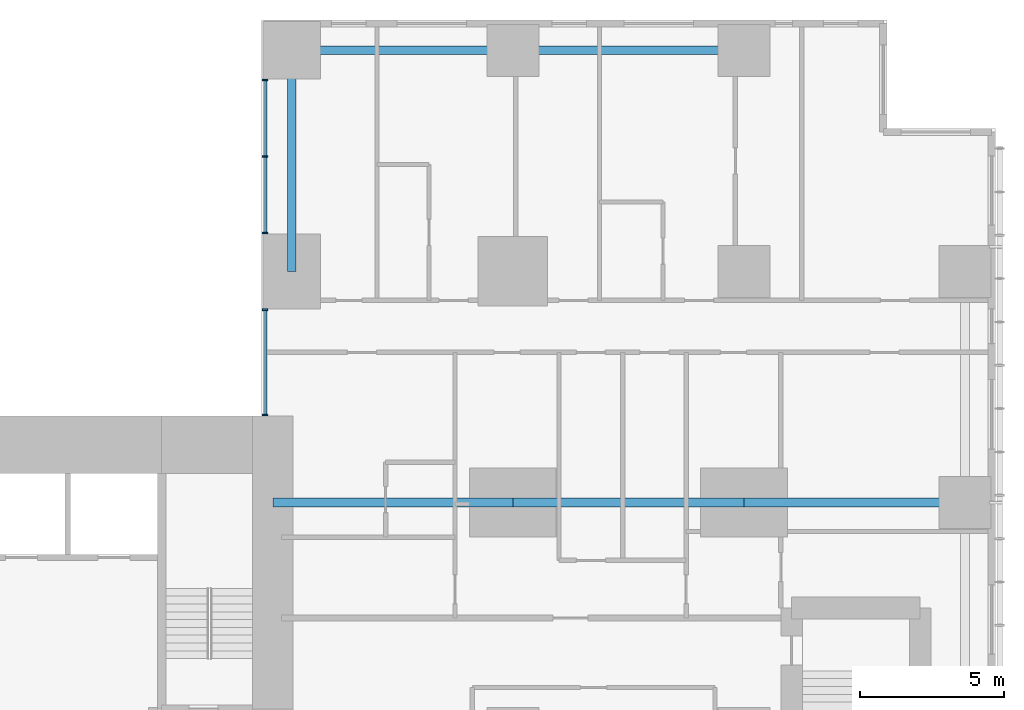
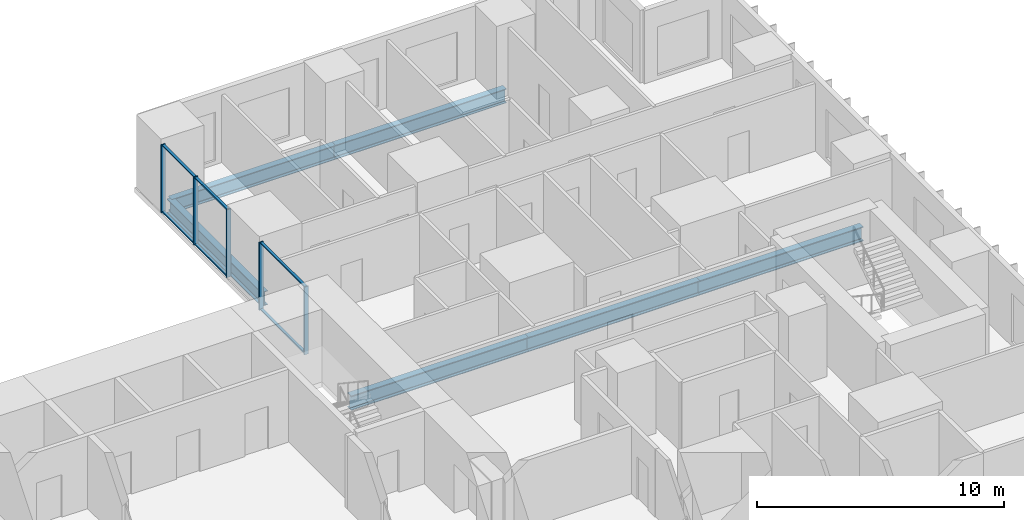
# One storey, part 5 of 20: 11 members, 6 beams, 2 elements without a shape of their own.
"""IFC4 building model written with IfcOpenShell, lengths in metres."""

from ifc_helpers import new_model, si_unit, direction, frame, origin, origin_2d, place, context, subcontext, project, spatial, rectangle, i_section, extrude, material, layer, layer_set, material_profile, profile_set, type_object, element, aggregate, save


model = new_model("IFC4")

# Units and contexts
model_context = context("Model", 3, precision=1e-05, world=origin(), true_north=direction((0.0, 1.0)))
body_context = subcontext(model_context, "Body", "Model", "MODEL_VIEW")
ifc_project = project(units=[si_unit("LENGTHUNIT", "METRE"), si_unit("AREAUNIT", "SQUARE_METRE"), si_unit("VOLUMEUNIT", "CUBIC_METRE"), si_unit("PLANEANGLEUNIT", "RADIAN"), si_unit("MASSUNIT", "GRAM", prefix="KILO")], contexts=[model_context])

# Site, building, storey
site_placement = place(None, origin())
site = spatial("IfcSite", under=ifc_project, at=site_placement, CompositionType="ELEMENT")
building_placement = place(site_placement, origin())
building = spatial("IfcBuilding", under=site, at=building_placement, Name="Cleftline Residences", CompositionType="ELEMENT")
storey_placement = place(building_placement, frame((0.0, 0.0, 207.39990234375)))
storey = spatial("IfcBuildingStorey", under=building, at=storey_placement, Name="L54", CompositionType="ELEMENT", Elevation=207.39990234375)

# Beams
ifc_material_1 = material(Name="Steel S355", Category="steel")
ifc_material_profile_1 = material_profile(ifc_material_1, i_section(OverallWidth=0.300048828125, OverallDepth=0.699951171875, WebThickness=0.01708984375, FlangeThickness=0.031982421875, FilletRadius=0.027099609375, at=origin_2d()))
ifc_profile_set_1 = profile_set([ifc_material_profile_1], Name="Steel S355")
beam_type_1 = type_object("IfcBeamType", Name="BEAM HEB 700", PredefinedType="BEAM", material=ifc_profile_set_1)
beam_1_placement = place(storey_placement, frame((58.0, 47.64990234375, -0.599853515625), z_axis=(-1.0, 0.0, 0.0), x_axis=(0.0, -1.0, 0.0)))
element("IfcBeam", 1, at=beam_1_placement, inside=storey, type_object=beam_type_1, Name="Edge beam", PredefinedType="BEAM", context=body_context, shape_type="SweptSolid", body=[
    extrude(i_section(OverallWidth=0.300048828125, OverallDepth=0.699951171875, WebThickness=0.01708984375, FlangeThickness=0.031982421875, FilletRadius=0.027099609375, at=origin_2d()), origin(), (0.0, 0.0, 1.0), 8.0),
])
for number, where, z_axis, x_axis, name in (
    (2, (50.0, 47.64990234375, -0.599853515625), (-1.0, 0.0, 0.0), (0.0, -1.0, 0.0), "Edge beam"),
    (3, (42.35009765625, 47.64990234375, -0.599853515625), (0.0, -1.0, 0.0), (1.0, 0.0, 0.0), "Edge beam"),
):
    element("IfcBeam", number, at=place(storey_placement, frame(where, z_axis=z_axis, x_axis=x_axis)), inside=storey, type_object=beam_type_1, Name=name, PredefinedType="BEAM", context=body_context, shape_type="SweptSolid", body=[
        extrude(i_section(OverallWidth=0.300048828125, OverallDepth=0.699951171875, WebThickness=0.01708984375, FlangeThickness=0.031982421875, FilletRadius=0.027099609375, at=origin_2d()), origin(), (0.0, 0.0, 1.0), 7.64990234375),
    ])
ifc_material_2 = material(Name="Steel S355", Category="steel")
ifc_material_profile_2 = material_profile(ifc_material_2, i_section(OverallWidth=0.303955078125, OverallDepth=0.716064453125, WebThickness=0.02099609375, FlangeThickness=0.0400390625, FilletRadius=0.027099609375, at=origin_2d()))
ifc_profile_set_2 = profile_set([ifc_material_profile_2], Name="Steel S355")
beam_type_2 = type_object("IfcBeamType", Name="BEAM HEM 700", PredefinedType="BEAM", material=ifc_profile_set_2)
beam_2_placement = place(storey_placement, frame((65.64990234375, 32.0, -0.60791015625), z_axis=(-1.0, 0.0, 0.0), x_axis=(0.0, -1.0, 0.0)))
element("IfcBeam", 4, at=beam_2_placement, inside=storey, type_object=beam_type_2, Name="Band beam", PredefinedType="BEAM", context=body_context, shape_type="SweptSolid", body=[
    extrude(i_section(OverallWidth=0.303955078125, OverallDepth=0.716064453125, WebThickness=0.02099609375, FlangeThickness=0.0400390625, FilletRadius=0.027099609375, at=origin_2d()), origin(), (0.0, 0.0, 1.0), 7.64990234375),
])
beam_3_placement = place(storey_placement, frame((58.0, 32.0, -0.60791015625), z_axis=(-1.0, 0.0, 0.0), x_axis=(0.0, -1.0, 0.0)))
element("IfcBeam", 5, at=beam_3_placement, inside=storey, type_object=beam_type_2, Name="Band beam", PredefinedType="BEAM", context=body_context, shape_type="SweptSolid", body=[
    extrude(i_section(OverallWidth=0.303955078125, OverallDepth=0.716064453125, WebThickness=0.02099609375, FlangeThickness=0.0400390625, FilletRadius=0.027099609375, at=origin_2d()), origin(), (0.0, 0.0, 1.0), 8.0),
])
beam_4_placement = place(storey_placement, frame((50.0, 32.0, -0.60791015625), z_axis=(-1.0, 0.0, 0.0), x_axis=(0.0, -1.0, 0.0)))
element("IfcBeam", 6, at=beam_4_placement, inside=storey, type_object=beam_type_2, Name="Band beam", PredefinedType="BEAM", context=body_context, shape_type="SweptSolid", body=[
    extrude(i_section(OverallWidth=0.303955078125, OverallDepth=0.716064453125, WebThickness=0.02099609375, FlangeThickness=0.0400390625, FilletRadius=0.027099609375, at=origin_2d()), origin(), (0.0, 0.0, 1.0), 8.300048828125),
])

# Curtain wall, members
ifc_material_3 = material(Name="Aluminium framed curtain wall", Category="aluminium")
ifc_layer = layer(ifc_material_3, 0.199951171875)
ifc_layer_set = layer_set([ifc_layer], Name="CW1 CLEFT GLAZING")
curtain_wall_type = type_object("IfcCurtainWallType", Name="CW1 CLEFT GLAZING", PredefinedType="NOTDEFINED", material=ifc_layer_set)
curtain_wall_1_placement = place(storey_placement, origin())
curtain_wall_1 = element("IfcCurtainWall", 7, at=curtain_wall_1_placement, inside=storey, type_object=curtain_wall_type, Name="Curtain wall CW1", PredefinedType="NOTDEFINED")
ifc_material_4 = material(Name="Aluminium mullion", Category="aluminium")
ifc_material_profile_3 = material_profile(ifc_material_4, rectangle(XDim=0.199951171875, YDim=0.06005859375, at=origin_2d()))
ifc_profile_set_3 = profile_set([ifc_material_profile_3], Name="Aluminium mullion")
member_type_1 = type_object("IfcMemberType", Name="CW1 MULLION", PredefinedType="MULLION", material=ifc_profile_set_3)
member_1_placement = place(storey_placement, frame((41.425048828125, 46.6201171875, 0.0), z_axis=(0.0, 0.0, 1.0), x_axis=(1.0, 0.0, 0.0)))
member_1 = element("IfcMember", 8, at=member_1_placement, type_object=member_type_1, Name="CW1 mullion 1", PredefinedType="MULLION", context=body_context, shape_type="SweptSolid", body=[
    extrude(rectangle(XDim=0.199951171875, YDim=0.06005859375, at=origin_2d()), origin(), (0.0, 0.0, 1.0), 3.35009765625),
])
member_2_placement = place(storey_placement, frame((41.425048828125, 43.97509765625, 0.0), z_axis=(0.0, 0.0, 1.0), x_axis=(1.0, 0.0, 0.0)))
member_2 = element("IfcMember", 9, at=member_2_placement, type_object=member_type_1, Name="CW1 mullion 2", PredefinedType="MULLION", context=body_context, shape_type="SweptSolid", body=[
    extrude(rectangle(XDim=0.199951171875, YDim=0.06005859375, at=origin_2d()), origin(), (0.0, 0.0, 1.0), 3.35009765625),
])
member_3_placement = place(storey_placement, frame((41.425048828125, 41.330078125, 0.0), z_axis=(0.0, 0.0, 1.0), x_axis=(1.0, 0.0, 0.0)))
member_3 = element("IfcMember", 10, at=member_3_placement, type_object=member_type_1, Name="CW1 mullion 3", PredefinedType="MULLION", context=body_context, shape_type="SweptSolid", body=[
    extrude(rectangle(XDim=0.199951171875, YDim=0.06005859375, at=origin_2d()), origin(), (0.0, 0.0, 1.0), 3.35009765625),
])

curtain_wall_2_placement = place(storey_placement, origin())
curtain_wall_2 = element("IfcCurtainWall", 11, at=curtain_wall_2_placement, inside=storey, type_object=curtain_wall_type, Name="Curtain wall CW1", PredefinedType="NOTDEFINED")
member_4_placement = place(storey_placement, frame((41.425048828125, 38.669921875, 0.0), z_axis=(0.0, 0.0, 1.0), x_axis=(1.0, 0.0, 0.0)))
member_4 = element("IfcMember", 12, at=member_4_placement, type_object=member_type_1, Name="CW1 mullion 1", PredefinedType="MULLION", context=body_context, shape_type="SweptSolid", body=[
    extrude(rectangle(XDim=0.199951171875, YDim=0.06005859375, at=origin_2d()), origin(), (0.0, 0.0, 1.0), 3.35009765625),
])
member_5_placement = place(storey_placement, frame((41.425048828125, 35.030029296875, 0.0), z_axis=(0.0, 0.0, 1.0), x_axis=(1.0, 0.0, 0.0)))
member_5 = element("IfcMember", 13, at=member_5_placement, type_object=member_type_1, Name="CW1 mullion 2", PredefinedType="MULLION", context=body_context, shape_type="SweptSolid", body=[
    extrude(rectangle(XDim=0.199951171875, YDim=0.06005859375, at=origin_2d()), origin(), (0.0, 0.0, 1.0), 3.35009765625),
])

# Member
ifc_material_5 = material(Name="Aluminium transom", Category="aluminium")
ifc_material_profile_4 = material_profile(ifc_material_5, rectangle(XDim=0.1201171875, YDim=0.06005859375, at=origin_2d()))
ifc_profile_set_4 = profile_set([ifc_material_profile_4], Name="Aluminium transom")
member_type_2 = type_object("IfcMemberType", Name="CW1 TRANSOM", PredefinedType="USERDEFINED", material=ifc_profile_set_4)
member_6_placement = place(storey_placement, frame((41.425048828125, 46.590087890625, 0.030029296875), z_axis=(0.0, -1.0, 0.0), x_axis=(1.0, 0.0, 0.0)))
member_6 = element("IfcMember", 14, at=member_6_placement, type_object=member_type_2, Name="CW1 transom 1.1", ObjectType="TRANSOM", PredefinedType="USERDEFINED", context=body_context, shape_type="SweptSolid", body=[
    extrude(rectangle(XDim=0.1201171875, YDim=0.06005859375, at=origin_2d()), origin(), (0.0, 0.0, 1.0), 2.585205078125),
])

member_7_placement = place(storey_placement, frame((41.425048828125, 46.590087890625, 3.320068359375), z_axis=(0.0, -1.0, 0.0), x_axis=(1.0, 0.0, 0.0)))
member_7 = element("IfcMember", 15, at=member_7_placement, type_object=member_type_2, Name="CW1 transom 1.2", ObjectType="TRANSOM", PredefinedType="USERDEFINED", context=body_context, shape_type="SweptSolid", body=[
    extrude(rectangle(XDim=0.1201171875, YDim=0.06005859375, at=origin_2d()), origin(), (0.0, 0.0, 1.0), 2.585205078125),
])

member_8_placement = place(storey_placement, frame((41.425048828125, 43.945068359375, 0.030029296875), z_axis=(0.0, -1.0, 0.0), x_axis=(1.0, 0.0, 0.0)))
member_8 = element("IfcMember", 16, at=member_8_placement, type_object=member_type_2, Name="CW1 transom 2.1", ObjectType="TRANSOM", PredefinedType="USERDEFINED", context=body_context, shape_type="SweptSolid", body=[
    extrude(rectangle(XDim=0.1201171875, YDim=0.06005859375, at=origin_2d()), origin(), (0.0, 0.0, 1.0), 2.5849609375),
])

member_9_placement = place(storey_placement, frame((41.425048828125, 43.945068359375, 3.320068359375), z_axis=(0.0, -1.0, 0.0), x_axis=(1.0, 0.0, 0.0)))
member_9 = element("IfcMember", 17, at=member_9_placement, type_object=member_type_2, Name="CW1 transom 2.2", ObjectType="TRANSOM", PredefinedType="USERDEFINED", context=body_context, shape_type="SweptSolid", body=[
    extrude(rectangle(XDim=0.1201171875, YDim=0.06005859375, at=origin_2d()), origin(), (0.0, 0.0, 1.0), 2.5849609375),
])

aggregate(curtain_wall_1, [member_1, member_2, member_3, member_6, member_7, member_8, member_9])

member_10_placement = place(storey_placement, frame((41.425048828125, 38.639892578125, 0.030029296875), z_axis=(0.0, -1.0, 0.0), x_axis=(1.0, 0.0, 0.0)))
member_10 = element("IfcMember", 18, at=member_10_placement, type_object=member_type_2, Name="CW1 transom 1.1", ObjectType="TRANSOM", PredefinedType="USERDEFINED", context=body_context, shape_type="SweptSolid", body=[
    extrude(rectangle(XDim=0.1201171875, YDim=0.06005859375, at=origin_2d()), origin(), (0.0, 0.0, 1.0), 3.579833984375),
])

member_11_placement = place(storey_placement, frame((41.425048828125, 38.639892578125, 3.320068359375), z_axis=(0.0, -1.0, 0.0), x_axis=(1.0, 0.0, 0.0)))
member_11 = element("IfcMember", 19, at=member_11_placement, type_object=member_type_2, Name="CW1 transom 1.2", ObjectType="TRANSOM", PredefinedType="USERDEFINED", context=body_context, shape_type="SweptSolid", body=[
    extrude(rectangle(XDim=0.1201171875, YDim=0.06005859375, at=origin_2d()), origin(), (0.0, 0.0, 1.0), 3.579833984375),
])

aggregate(curtain_wall_2, [member_4, member_5, member_10, member_11])

save(model, "model.ifc")
